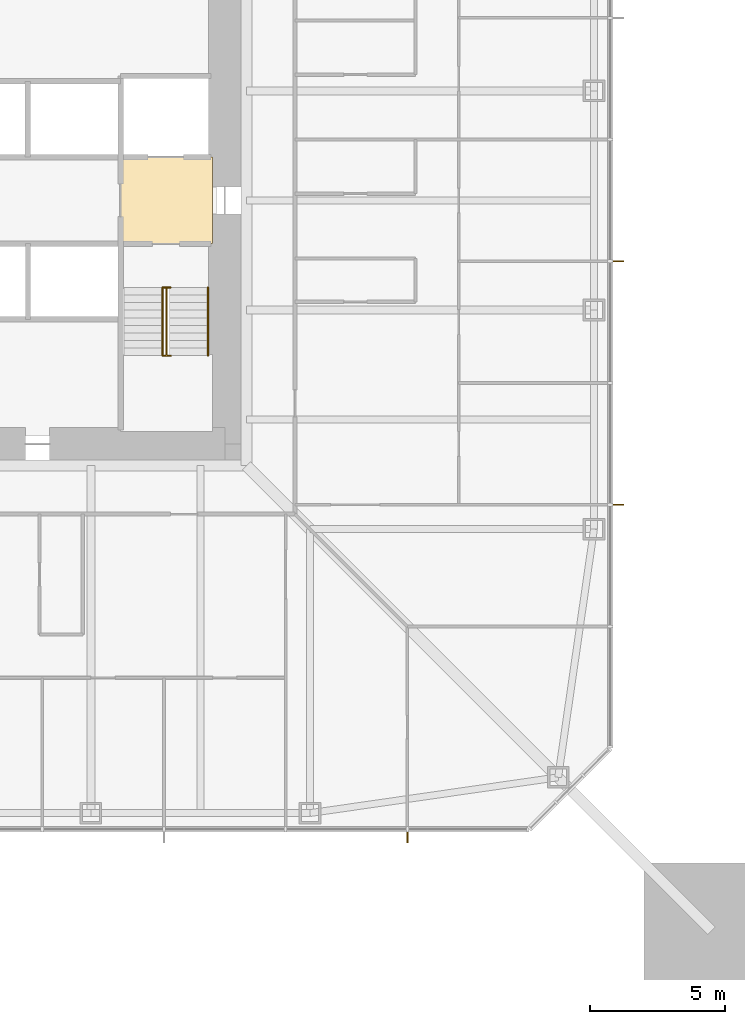
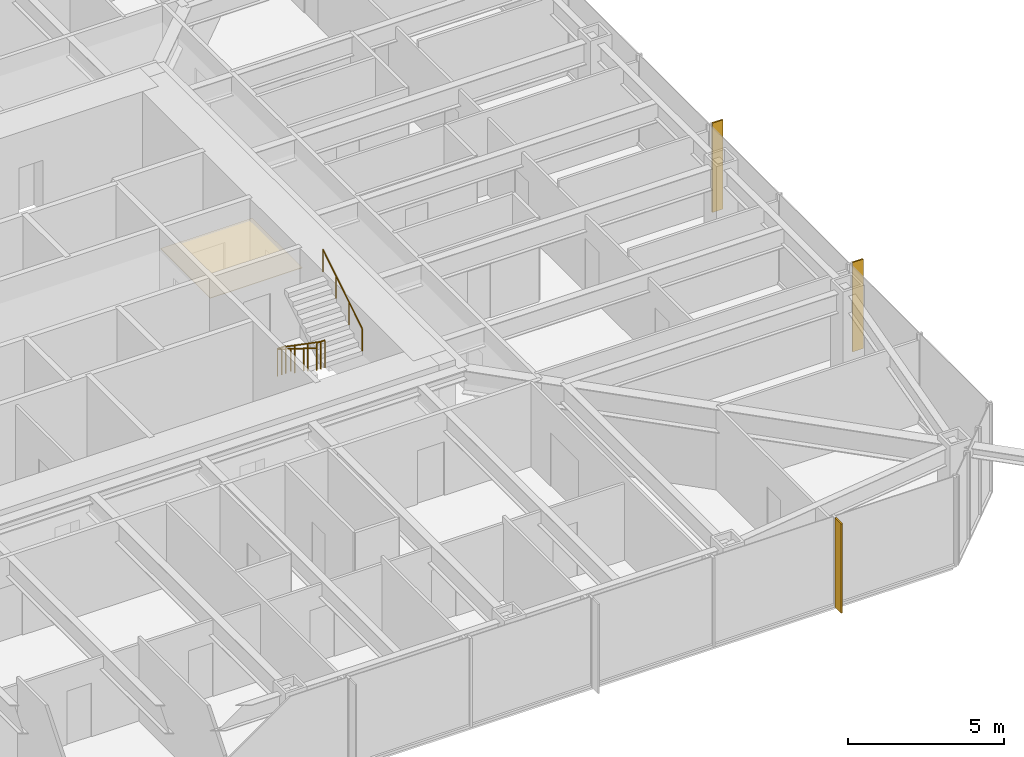
# One storey, part 24 of 26: 3 railings, 3 shading devices, 1 covering.
"""IFC4 building model written with IfcOpenShell, lengths in metres."""

import ifcopenshell
import ifcopenshell.guid

model = None  # the IFC model being written
_history = None  # IfcOwnerHistory: only IFC2X3 demands one
_inside = {}  # id of a spatial element -> (the spatial element, [elements in it])
_under = {}  # id of a project, library or spatial element -> (it, [spatial elements below it])
_declared = {}  # id of a project -> (the project, [libraries it declares])
_typed = {}  # id of a type object -> (the type object, [elements of that type])
_made_of = {}  # id of a material, layer set ... -> (it, [elements and type objects made of it])


def new_model(schema):
    """Start an empty IFC model of exactly this schema.

    Asked for "IFC4X3", IfcOpenShell would pick the latest addendum, in which some entities
    have other attributes; the version numbers below select the first issue.
    IFC2X3 requires an IfcOwnerHistory on every rooted entity: one is made here for all.
    """
    global model, _history
    if schema == "IFC4X3":
        model = ifcopenshell.file(schema_version=(4, 3, 0, 0))
    else:
        model = ifcopenshell.file(schema=schema)
    _inside.clear()
    _under.clear()
    _declared.clear()
    _typed.clear()
    _made_of.clear()
    _history = None
    if model.schema == "IFC2X3":
        org = make("IfcOrganization", Name="unknown")
        user = make(
            "IfcPersonAndOrganization",
            ThePerson=make("IfcPerson", FamilyName="unknown"),
            TheOrganization=org,
        )
        app = make(
            "IfcApplication",
            ApplicationDeveloper=org,
            Version="unknown",
            ApplicationFullName="unknown",
            ApplicationIdentifier="unknown",
        )
        _history = make(
            "IfcOwnerHistory",
            OwningUser=user,
            OwningApplication=app,
            ChangeAction="ADDED",
            CreationDate=0,
        )
    return model


def make(cls, **values):
    """One entity of the class cls with the attributes given. An attribute that is None is left unset."""
    return model.create_entity(
        cls, **{name: value for name, value in values.items() if value is not None}
    )


def rooted(cls, **values):
    """An entity with a GlobalId (a new one), such as an element, a storey or a relation."""
    return make(cls, GlobalId=ifcopenshell.guid.new(), OwnerHistory=_history, **values)


def si_unit(unit_type, name, prefix=None):
    """IfcSIUnit, for example si_unit("LENGTHUNIT", "METRE", prefix="MILLI")."""
    return make("IfcSIUnit", UnitType=unit_type, Prefix=prefix, Name=name)


def assignment(units):
    """IfcUnitAssignment: the units of a project."""
    return None if units is None else make("IfcUnitAssignment", Units=units)


def point(xyz):
    """IfcCartesianPoint."""
    return None if xyz is None else make("IfcCartesianPoint", Coordinates=xyz)


def direction(xyz):
    """IfcDirection."""
    return None if xyz is None else make("IfcDirection", DirectionRatios=xyz)


def frame(location, z_axis=None, x_axis=None):
    """IfcAxis2Placement3D, a coordinate frame: its origin and axes. An axis left out is left unset."""
    return make(
        "IfcAxis2Placement3D",
        Location=point(location),
        Axis=direction(z_axis),
        RefDirection=direction(x_axis),
    )


def frame_2d(location, x_axis=None):
    """IfcAxis2Placement2D, a coordinate frame in the plane: its origin and x axis."""
    return make(
        "IfcAxis2Placement2D", Location=point(location), RefDirection=direction(x_axis)
    )


def origin():
    """The frame at (0, 0, 0) with its axes left unset."""
    return frame((0.0, 0.0, 0.0))


def origin_2d():
    """The frame at (0, 0) in the plane with its x axis left unset."""
    return frame_2d((0.0, 0.0))


def place(relative_to, where):
    """IfcLocalPlacement: puts the frame where relative to a parent placement (None: the world)."""
    return make(
        "IfcLocalPlacement", PlacementRelTo=relative_to, RelativePlacement=where
    )


def context(
    kind, dimensions, precision=None, world=None, true_north=None, identifier=None
):
    """IfcGeometricRepresentationContext, for example the 3D "Model" context."""
    return make(
        "IfcGeometricRepresentationContext",
        ContextIdentifier=identifier,
        ContextType=kind,
        CoordinateSpaceDimension=dimensions,
        Precision=precision,
        WorldCoordinateSystem=world,
        TrueNorth=true_north,
    )


def subcontext(parent, identifier, kind, view, scale=None):
    """IfcGeometricRepresentationSubContext, for example "Body" below "Model"."""
    return make(
        "IfcGeometricRepresentationSubContext",
        ContextIdentifier=identifier,
        ContextType=kind,
        ParentContext=parent,
        TargetScale=scale,
        TargetView=view,
    )


def project(units=None, contexts=None):
    """IfcProject with its units and contexts."""
    return rooted(
        "IfcProject",
        Name="project",
        RepresentationContexts=contexts,
        UnitsInContext=assignment(units),
    )


def spatial(cls, under=None, at=None, **own):
    """A site, building, storey or space (cls), placed at a placement, below another one or the project."""
    s = rooted(cls, ObjectPlacement=at, **own)
    if under is not None:
        _under.setdefault(under.id(), (under, []))[1].append(s)
    return s


def polyline(points):
    """IfcPolyline through the points."""
    return make("IfcPolyline", Points=[point(p) for p in points])


def profile(cls, at=None, kind="AREA", **sizes):
    """A parametric profile (cls). Its sizes go by their IFC names, for example OverallWidth=200.0."""
    return make(cls, ProfileType=kind, Position=at, **sizes)


def rectangle(**sizes):
    """IfcRectangleProfileDef."""
    return profile("IfcRectangleProfileDef", **sizes)


def circle(**sizes):
    """IfcCircleProfileDef."""
    return profile("IfcCircleProfileDef", **sizes)


def outline(outer, holes=None, kind="AREA"):
    """IfcArbitraryClosedProfileDef: a profile drawn as a closed curve; with holes, ...WithVoids."""
    if holes is None:
        return make("IfcArbitraryClosedProfileDef", ProfileType=kind, OuterCurve=outer)
    return make(
        "IfcArbitraryProfileDefWithVoids",
        ProfileType=kind,
        OuterCurve=outer,
        InnerCurves=holes,
    )


def extrude(swept, where, along, depth):
    """IfcExtrudedAreaSolid: the profile swept, set in the frame where, extruded along a direction by depth."""
    return make(
        "IfcExtrudedAreaSolid",
        SweptArea=swept,
        Position=where,
        ExtrudedDirection=direction(along),
        Depth=depth,
    )


def shape(context_of_items, identifier, shape_type, items):
    """IfcShapeRepresentation: the items that make up one representation, for example the "Body"."""
    return make(
        "IfcShapeRepresentation",
        ContextOfItems=context_of_items,
        RepresentationIdentifier=identifier,
        RepresentationType=shape_type,
        Items=items,
    )


def material(Name=None, Category=None):
    """IfcMaterial."""
    return make("IfcMaterial", Name=Name, Category=Category)


def layer(
    of_material, thickness, ventilated=None, Name=None, Category=None, Priority=None
):
    """IfcMaterialLayer: one layer of a wall or slab, of a material (None: an air gap)."""
    return make(
        "IfcMaterialLayer",
        Material=of_material,
        LayerThickness=thickness,
        IsVentilated=ventilated,
        Name=Name,
        Category=Category,
        Priority=Priority,
    )


def layer_set(layers, Name=None):
    """IfcMaterialLayerSet."""
    return make("IfcMaterialLayerSet", MaterialLayers=layers, LayerSetName=Name)


def constituent(of_material, Name=None, Category=None, fraction=None):
    """IfcMaterialConstituent: one of the materials an element consists of."""
    return make(
        "IfcMaterialConstituent",
        Name=Name,
        Material=of_material,
        Fraction=fraction,
        Category=Category,
    )


def constituent_set(constituents=None, Name=None):
    """IfcMaterialConstituentSet."""
    return make(
        "IfcMaterialConstituentSet", Name=Name, MaterialConstituents=constituents
    )


def made_of(thing, what):
    """Note that an element or type object is made of a material, layer set ...; save() writes the relation."""
    if what is not None:
        _made_of.setdefault(what.id(), (what, []))[1].append(thing)
    return thing


def type_object(cls, material=None, **own):
    """A type object (cls), such as IfcWallType, which elements share."""
    return made_of(rooted(cls, **own), material)


def element(
    cls,
    number,
    at=None,
    inside=None,
    cuts=None,
    type_object=None,
    material=None,
    context=None,
    identifier="Body",
    shape_type=None,
    held_by="IfcProductDefinitionShape",
    body=None,
    shapes=None,
    **own,
):
    """One element of the class cls, such as IfcWall. Its Tag is "e" and its number.

    at: its placement. inside: the storey or other place that contains it. cuts: it is an
    opening in that element (IfcRelVoidsElement). A single representation is given by context,
    identifier, shape_type and body (its items); several are given by shapes. held_by: the class
    of the entity that holds the representations. save() writes the other relations.
    """
    e = rooted(cls, Tag="e%d" % number, ObjectPlacement=at, **own)
    if body is not None:
        shapes = [shape(context, identifier, shape_type, body)]
    if shapes is not None:
        e.Representation = make(held_by, Representations=shapes)
    if inside is not None:
        _inside.setdefault(inside.id(), (inside, []))[1].append(e)
    if cuts is not None:
        rooted(
            "IfcRelVoidsElement", RelatingBuildingElement=cuts, RelatedOpeningElement=e
        )
    if type_object is not None:
        _typed.setdefault(type_object.id(), (type_object, []))[1].append(e)
    return made_of(e, material)


def aggregate(whole, parts):
    """IfcRelAggregates: a whole, such as a stair, and the parts it consists of."""
    return rooted("IfcRelAggregates", RelatingObject=whole, RelatedObjects=parts)


def save(model, path):
    """Write the relations noted so far, then the file.

    IfcRelAggregates (storeys below a building ...), IfcRelContainedInSpatialStructure (elements
    in a storey), IfcRelDefinesByType, IfcRelAssociatesMaterial and IfcRelDeclares: one each for
    every whole, place, type object, material and project.
    """
    for whole, parts in _under.values():
        aggregate(whole, parts)
    for where, things in _inside.values():
        rooted(
            "IfcRelContainedInSpatialStructure",
            RelatedElements=things,
            RelatingStructure=where,
        )
    for kind, things in _typed.values():
        rooted("IfcRelDefinesByType", RelatedObjects=things, RelatingType=kind)
    for what, things in _made_of.values():
        rooted("IfcRelAssociatesMaterial", RelatedObjects=things, RelatingMaterial=what)
    for by, libraries in _declared.values():
        rooted("IfcRelDeclares", RelatingContext=by, RelatedDefinitions=libraries)
    model.write(path)


model = new_model("IFC4")

# Units and contexts
model_context = context("Model", 3, precision=1e-05, world=origin(), true_north=direction((0.0, 1.0)))
body_context = subcontext(model_context, "Body", "Model", "MODEL_VIEW")
ifc_project = project(units=[si_unit("LENGTHUNIT", "METRE"), si_unit("AREAUNIT", "SQUARE_METRE"), si_unit("VOLUMEUNIT", "CUBIC_METRE"), si_unit("PLANEANGLEUNIT", "RADIAN"), si_unit("MASSUNIT", "GRAM", prefix="KILO")], contexts=[model_context])

# Site, building, storey
site_placement = place(None, origin())
site = spatial("IfcSite", under=ifc_project, at=site_placement, CompositionType="ELEMENT")
building_placement = place(site_placement, origin())
building = spatial("IfcBuilding", under=site, at=building_placement, Name="Iwan Alto Co-Living Towers", CompositionType="ELEMENT")
storey_placement = place(building_placement, frame((0.0, 0.0, 36.0)))
storey = spatial("IfcBuildingStorey", under=building, at=storey_placement, Name="L09", CompositionType="ELEMENT", Elevation=36.0)

# Covering
ifc_material_1 = material(Name="Mineral fibre acoustic tiles on steel grid", Category="steel")
ifc_layer_1 = layer(ifc_material_1, 0.02001953125)
ifc_layer_set_1 = layer_set([ifc_layer_1], Name="ACOUSTIC TILE CEILING 20")
covering_type = type_object("IfcCoveringType", Name="ACOUSTIC TILE CEILING 20", PredefinedType="CEILING", material=ifc_layer_set_1)
covering_placement = place(storey_placement, frame((0.0, 0.0, 2.60009765625)))
element("IfcCovering", 1, at=covering_placement, inside=storey, type_object=covering_type, Name="Ceiling Firefighting lobby L09", PredefinedType="CEILING", context=body_context, shape_type="SweptSolid", body=[
    extrude(outline(polyline([(5.14990234375, -1.60009765625), (5.14990234375, 1.60009765625), (8.550048828125, 1.60009765625), (8.550048828125, -1.60009765625), (5.14990234375, -1.60009765625)])), origin(), (0.0, 0.0, 1.0), 0.02001953125),
])

# Shading devices
ifc_material_2 = material(Name="Aluminium 6063-T6 bronze anodised", Category="aluminium")
ifc_layer_2 = layer(ifc_material_2, 0.050048828125)
ifc_layer_set_2 = layer_set([ifc_layer_2], Name="BRONZE FIN 50X400")
shading_device_type = type_object("IfcShadingDeviceType", Name="BRONZE FIN 50X400", PredefinedType="USERDEFINED", material=ifc_layer_set_2)
for number, where, z_axis, x_axis, name in (
    (2, (15.75, -23.550048828125, 0.0), (0.0, 0.0, 1.0), (1.0, 0.0, 0.0), "Bronze fin L09"),
    (3, (23.550048828125, -11.25, 0.0), (0.0, 0.0, 1.0), (0.0, 1.0, 0.0), "Bronze fin L09"),
    (4, (23.550048828125, -2.25, 0.0), (0.0, 0.0, 1.0), (0.0, 1.0, 0.0), "Bronze fin L09"),
):
    element("IfcShadingDevice", number, at=place(storey_placement, frame(where, z_axis=z_axis, x_axis=x_axis)), inside=storey, type_object=shading_device_type, Name=name, ObjectType="LOUVER", PredefinedType="USERDEFINED", context=body_context, shape_type="SweptSolid", body=[
        extrude(rectangle(XDim=0.050048828125, YDim=0.39990234375, at=origin_2d()), origin(), (0.0, 0.0, 1.0), 3.5),
    ])

# Railings
ifc_material_3 = material(Name="Steel ASTM A500 Gr C", Category="steel")
ifc_constituent_1 = constituent(ifc_material_3, Name="Rails and posts", Category="Framing")
ifc_material_4 = material(Name="Steel ASTM A36", Category="steel")
ifc_constituent_2 = constituent(ifc_material_4, Name="Bar infill", Category="Infill")
ifc_constituent_set = constituent_set(constituents=[ifc_constituent_1, ifc_constituent_2], Name="STAIR GUARD 1100")
railing_type_1 = type_object("IfcRailingType", Name="STAIR GUARD 1100", PredefinedType="GUARDRAIL", material=ifc_constituent_set)
railing_1_placement = place(storey_placement, frame((6.85009765625, -3.219970703125, 0.0)))
element("IfcRailing", 5, at=railing_1_placement, inside=storey, type_object=railing_type_1, Name="Stair T1-S2 well guard L09", PredefinedType="GUARDRAIL", context=body_context, shape_type="SweptSolid", body=[
    extrude(circle(Radius=0.02392578125, at=origin_2d()), frame((0.0, 0.0, 1.076171875), z_axis=(0.0, -0.821372036852, 0.570392826987), x_axis=(1.0, 0.0, 0.0)), (0.0, 0.0, 1.0), 3.068115234375),
    extrude(circle(Radius=0.02392578125, at=origin_2d()), frame((-0.150146484375, 0.0, 1.076171875), z_axis=(1.0, 0.0, 0.0), x_axis=(0.0, 1.0, 0.0)), (0.0, 0.0, 1.0), 0.300048828125),
    extrude(circle(Radius=0.02392578125, at=origin_2d()), frame((-0.150146484375, -2.52001953125, 2.826171875), z_axis=(1.0, 0.0, 0.0), x_axis=(0.0, 1.0, 0.0)), (0.0, 0.0, 1.0), 0.300048828125),
    extrude(circle(Radius=0.02099609375, at=origin_2d()), origin(), (0.0, 0.0, 1.0), 1.052001953125),
    extrude(circle(Radius=0.02099609375, at=origin_2d()), frame((0.0, -0.840087890625, 0.583251953125)), (0.0, 0.0, 1.0), 1.052001953125),
    extrude(circle(Radius=0.02099609375, at=origin_2d()), frame((0.0, -1.679931640625, 1.166748046875)), (0.0, 0.0, 1.0), 1.052001953125),
    extrude(circle(Radius=0.02099609375, at=origin_2d()), frame((0.0, -2.52001953125, 1.75)), (0.0, 0.0, 1.0), 1.052001953125),
    extrude(circle(Radius=0.02099609375, at=origin_2d()), frame((-0.150146484375, 0.0, 0.0)), (0.0, 0.0, 1.0), 1.052001953125),
    extrude(circle(Radius=0.02099609375, at=origin_2d()), frame((0.14990234375, 0.0, 0.0)), (0.0, 0.0, 1.0), 1.052001953125),
    extrude(circle(Radius=0.02099609375, at=origin_2d()), frame((-0.150146484375, -2.52001953125, 1.75)), (0.0, 0.0, 1.0), 1.052001953125),
    extrude(circle(Radius=0.02099609375, at=origin_2d()), frame((0.14990234375, -2.52001953125, 1.75)), (0.0, 0.0, 1.0), 1.052001953125),
])
ifc_material_5 = material(Name="Steel ASTM A500 Gr C", Category="steel")
railing_type_2 = type_object("IfcRailingType", Name="STAIR HANDRAIL 900", PredefinedType="HANDRAIL", material=ifc_material_5)
railing_2_placement = place(storey_placement, frame((6.699951171875, -3.219970703125, 0.175048828125)))
element("IfcRailing", 6, at=railing_2_placement, inside=storey, type_object=railing_type_2, Name="Stair T1-S2 handrail 1 L09", PredefinedType="HANDRAIL", context=body_context, shape_type="SweptSolid", body=[
    extrude(circle(Radius=0.02392578125, at=origin_2d()), frame((0.0, 0.0, 0.8759765625), z_axis=(0.0, -0.848007534815, 0.529984170421), x_axis=(1.0, 0.0, 0.0)), (0.0, 0.0, 1.0), 2.9716796875),
    extrude(circle(Radius=0.02099609375, at=origin_2d()), origin(), (0.0, 0.0, 1.0), 0.851806640625),
    extrude(circle(Radius=0.02099609375, at=origin_2d()), frame((0.0, -0.840087890625, 0.52490234375)), (0.0, 0.0, 1.0), 0.851806640625),
    extrude(circle(Radius=0.02099609375, at=origin_2d()), frame((0.0, -1.679931640625, 1.050048828125)), (0.0, 0.0, 1.0), 0.851806640625),
    extrude(circle(Radius=0.02099609375, at=origin_2d()), frame((0.0, -2.52001953125, 1.574951171875)), (0.0, 0.0, 1.0), 0.851806640625),
])
railing_3_placement = place(storey_placement, frame((8.3798828125, -5.739990234375, 1.925048828125)))
element("IfcRailing", 7, at=railing_3_placement, inside=storey, type_object=railing_type_2, Name="Stair T1-S2 handrail 2 L09", PredefinedType="HANDRAIL", context=body_context, shape_type="SweptSolid", body=[
    extrude(circle(Radius=0.02392578125, at=origin_2d()), frame((0.0, 0.0, 0.8759765625), z_axis=(0.0, 0.848007534815, 0.529984170421), x_axis=(-1.0, 0.0, 0.0)), (0.0, 0.0, 1.0), 2.9716796875),
    extrude(circle(Radius=0.02099609375, at=origin_2d()), origin(), (0.0, 0.0, 1.0), 0.851806640625),
    extrude(circle(Radius=0.02099609375, at=origin_2d()), frame((0.0, 0.840087890625, 0.52490234375)), (0.0, 0.0, 1.0), 0.851806640625),
    extrude(circle(Radius=0.02099609375, at=origin_2d()), frame((0.0, 1.679931640625, 1.050048828125)), (0.0, 0.0, 1.0), 0.851806640625),
    extrude(circle(Radius=0.02099609375, at=origin_2d()), frame((0.0, 2.52001953125, 1.574951171875)), (0.0, 0.0, 1.0), 0.851806640625),
])

save(model, "model.ifc")
